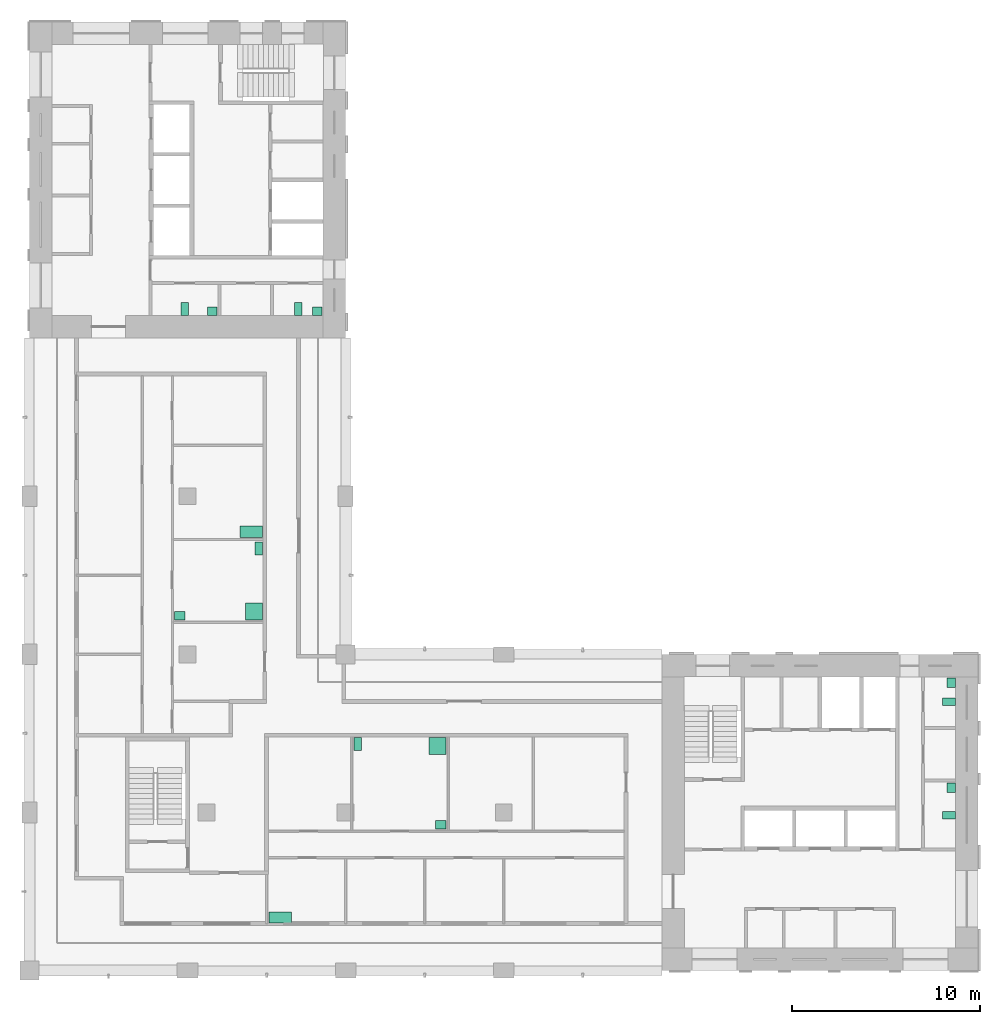
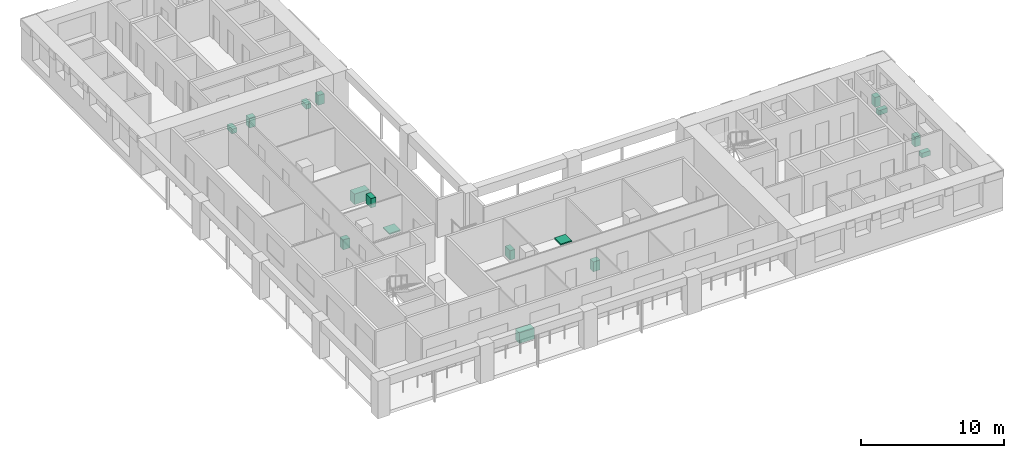
# One storey, part 9 of 9: 16 sanitary terminals.
"""IFC4 building model written with IfcOpenShell, lengths in metres."""

import ifcopenshell
import ifcopenshell.guid

model = None  # the IFC model being written
_history = None  # IfcOwnerHistory: only IFC2X3 demands one
_inside = {}  # id of a spatial element -> (the spatial element, [elements in it])
_under = {}  # id of a project, library or spatial element -> (it, [spatial elements below it])
_declared = {}  # id of a project -> (the project, [libraries it declares])
_typed = {}  # id of a type object -> (the type object, [elements of that type])
_made_of = {}  # id of a material, layer set ... -> (it, [elements and type objects made of it])


def new_model(schema):
    """Start an empty IFC model of exactly this schema.

    Asked for "IFC4X3", IfcOpenShell would pick the latest addendum, in which some entities
    have other attributes; the version numbers below select the first issue.
    IFC2X3 requires an IfcOwnerHistory on every rooted entity: one is made here for all.
    """
    global model, _history
    if schema == "IFC4X3":
        model = ifcopenshell.file(schema_version=(4, 3, 0, 0))
    else:
        model = ifcopenshell.file(schema=schema)
    _inside.clear()
    _under.clear()
    _declared.clear()
    _typed.clear()
    _made_of.clear()
    _history = None
    if model.schema == "IFC2X3":
        org = make("IfcOrganization", Name="unknown")
        user = make(
            "IfcPersonAndOrganization",
            ThePerson=make("IfcPerson", FamilyName="unknown"),
            TheOrganization=org,
        )
        app = make(
            "IfcApplication",
            ApplicationDeveloper=org,
            Version="unknown",
            ApplicationFullName="unknown",
            ApplicationIdentifier="unknown",
        )
        _history = make(
            "IfcOwnerHistory",
            OwningUser=user,
            OwningApplication=app,
            ChangeAction="ADDED",
            CreationDate=0,
        )
    return model


def make(cls, **values):
    """One entity of the class cls with the attributes given. An attribute that is None is left unset."""
    return model.create_entity(
        cls, **{name: value for name, value in values.items() if value is not None}
    )


def rooted(cls, **values):
    """An entity with a GlobalId (a new one), such as an element, a storey or a relation."""
    return make(cls, GlobalId=ifcopenshell.guid.new(), OwnerHistory=_history, **values)


def si_unit(unit_type, name, prefix=None):
    """IfcSIUnit, for example si_unit("LENGTHUNIT", "METRE", prefix="MILLI")."""
    return make("IfcSIUnit", UnitType=unit_type, Prefix=prefix, Name=name)


def assignment(units):
    """IfcUnitAssignment: the units of a project."""
    return None if units is None else make("IfcUnitAssignment", Units=units)


def point(xyz):
    """IfcCartesianPoint."""
    return None if xyz is None else make("IfcCartesianPoint", Coordinates=xyz)


def direction(xyz):
    """IfcDirection."""
    return None if xyz is None else make("IfcDirection", DirectionRatios=xyz)


def frame(location, z_axis=None, x_axis=None):
    """IfcAxis2Placement3D, a coordinate frame: its origin and axes. An axis left out is left unset."""
    return make(
        "IfcAxis2Placement3D",
        Location=point(location),
        Axis=direction(z_axis),
        RefDirection=direction(x_axis),
    )


def frame_2d(location, x_axis=None):
    """IfcAxis2Placement2D, a coordinate frame in the plane: its origin and x axis."""
    return make(
        "IfcAxis2Placement2D", Location=point(location), RefDirection=direction(x_axis)
    )


def origin():
    """The frame at (0, 0, 0) with its axes left unset."""
    return frame((0.0, 0.0, 0.0))


def origin_2d():
    """The frame at (0, 0) in the plane with its x axis left unset."""
    return frame_2d((0.0, 0.0))


def place(relative_to, where):
    """IfcLocalPlacement: puts the frame where relative to a parent placement (None: the world)."""
    return make(
        "IfcLocalPlacement", PlacementRelTo=relative_to, RelativePlacement=where
    )


def context(
    kind, dimensions, precision=None, world=None, true_north=None, identifier=None
):
    """IfcGeometricRepresentationContext, for example the 3D "Model" context."""
    return make(
        "IfcGeometricRepresentationContext",
        ContextIdentifier=identifier,
        ContextType=kind,
        CoordinateSpaceDimension=dimensions,
        Precision=precision,
        WorldCoordinateSystem=world,
        TrueNorth=true_north,
    )


def subcontext(parent, identifier, kind, view, scale=None):
    """IfcGeometricRepresentationSubContext, for example "Body" below "Model"."""
    return make(
        "IfcGeometricRepresentationSubContext",
        ContextIdentifier=identifier,
        ContextType=kind,
        ParentContext=parent,
        TargetScale=scale,
        TargetView=view,
    )


def project(units=None, contexts=None):
    """IfcProject with its units and contexts."""
    return rooted(
        "IfcProject",
        Name="project",
        RepresentationContexts=contexts,
        UnitsInContext=assignment(units),
    )


def spatial(cls, under=None, at=None, **own):
    """A site, building, storey or space (cls), placed at a placement, below another one or the project."""
    s = rooted(cls, ObjectPlacement=at, **own)
    if under is not None:
        _under.setdefault(under.id(), (under, []))[1].append(s)
    return s


def profile(cls, at=None, kind="AREA", **sizes):
    """A parametric profile (cls). Its sizes go by their IFC names, for example OverallWidth=200.0."""
    return make(cls, ProfileType=kind, Position=at, **sizes)


def rectangle(**sizes):
    """IfcRectangleProfileDef."""
    return profile("IfcRectangleProfileDef", **sizes)


def extrude(swept, where, along, depth):
    """IfcExtrudedAreaSolid: the profile swept, set in the frame where, extruded along a direction by depth."""
    return make(
        "IfcExtrudedAreaSolid",
        SweptArea=swept,
        Position=where,
        ExtrudedDirection=direction(along),
        Depth=depth,
    )


def shape(context_of_items, identifier, shape_type, items):
    """IfcShapeRepresentation: the items that make up one representation, for example the "Body"."""
    return make(
        "IfcShapeRepresentation",
        ContextOfItems=context_of_items,
        RepresentationIdentifier=identifier,
        RepresentationType=shape_type,
        Items=items,
    )


def material(Name=None, Category=None):
    """IfcMaterial."""
    return make("IfcMaterial", Name=Name, Category=Category)


def made_of(thing, what):
    """Note that an element or type object is made of a material, layer set ...; save() writes the relation."""
    if what is not None:
        _made_of.setdefault(what.id(), (what, []))[1].append(thing)
    return thing


def element(
    cls,
    number,
    at=None,
    inside=None,
    cuts=None,
    type_object=None,
    material=None,
    context=None,
    identifier="Body",
    shape_type=None,
    held_by="IfcProductDefinitionShape",
    body=None,
    shapes=None,
    **own,
):
    """One element of the class cls, such as IfcWall. Its Tag is "e" and its number.

    at: its placement. inside: the storey or other place that contains it. cuts: it is an
    opening in that element (IfcRelVoidsElement). A single representation is given by context,
    identifier, shape_type and body (its items); several are given by shapes. held_by: the class
    of the entity that holds the representations. save() writes the other relations.
    """
    e = rooted(cls, Tag="e%d" % number, ObjectPlacement=at, **own)
    if body is not None:
        shapes = [shape(context, identifier, shape_type, body)]
    if shapes is not None:
        e.Representation = make(held_by, Representations=shapes)
    if inside is not None:
        _inside.setdefault(inside.id(), (inside, []))[1].append(e)
    if cuts is not None:
        rooted(
            "IfcRelVoidsElement", RelatingBuildingElement=cuts, RelatedOpeningElement=e
        )
    if type_object is not None:
        _typed.setdefault(type_object.id(), (type_object, []))[1].append(e)
    return made_of(e, material)


def aggregate(whole, parts):
    """IfcRelAggregates: a whole, such as a stair, and the parts it consists of."""
    return rooted("IfcRelAggregates", RelatingObject=whole, RelatedObjects=parts)


def save(model, path):
    """Write the relations noted so far, then the file.

    IfcRelAggregates (storeys below a building ...), IfcRelContainedInSpatialStructure (elements
    in a storey), IfcRelDefinesByType, IfcRelAssociatesMaterial and IfcRelDeclares: one each for
    every whole, place, type object, material and project.
    """
    for whole, parts in _under.values():
        aggregate(whole, parts)
    for where, things in _inside.values():
        rooted(
            "IfcRelContainedInSpatialStructure",
            RelatedElements=things,
            RelatingStructure=where,
        )
    for kind, things in _typed.values():
        rooted("IfcRelDefinesByType", RelatedObjects=things, RelatingType=kind)
    for what, things in _made_of.values():
        rooted("IfcRelAssociatesMaterial", RelatedObjects=things, RelatingMaterial=what)
    for by, libraries in _declared.values():
        rooted("IfcRelDeclares", RelatingContext=by, RelatedDefinitions=libraries)
    model.write(path)


model = new_model("IFC4")

# Units and contexts
model_context = context("Model", 3, precision=1e-05, world=origin(), true_north=direction((0.0, 1.0)))
body_context = subcontext(model_context, "Body", "Model", "MODEL_VIEW")
ifc_project = project(units=[si_unit("LENGTHUNIT", "METRE"), si_unit("AREAUNIT", "SQUARE_METRE"), si_unit("VOLUMEUNIT", "CUBIC_METRE"), si_unit("PLANEANGLEUNIT", "RADIAN"), si_unit("MASSUNIT", "GRAM", prefix="KILO")], contexts=[model_context])

# Site, building, storey
site_placement = place(None, origin())
site = spatial("IfcSite", under=ifc_project, at=site_placement, CompositionType="ELEMENT")
building_placement = place(site_placement, origin())
building = spatial("IfcBuilding", under=site, at=building_placement, Name="Vermilion Gate Residences", CompositionType="ELEMENT")
storey_placement = place(building_placement, frame((0.0, 0.0, 228.199951171875)))
storey = spatial("IfcBuildingStorey", under=building, at=storey_placement, Name="L59", CompositionType="ELEMENT", Elevation=228.199951171875)

# Sanitary terminals
ifc_material_1 = material(Name="Vitreous china")
sanitary_terminal_1_placement = place(storey_placement, frame((57.25, 16.659912109375, 0.0), z_axis=(0.0, 0.0, 1.0), x_axis=(1.0, 0.0, 0.0)))
element("IfcSanitaryTerminal", 1, at=sanitary_terminal_1_placement, inside=storey, material=ifc_material_1, Name="Toilet pan A59", PredefinedType="TOILETPAN", context=body_context, shape_type="SweptSolid", body=[
    extrude(rectangle(XDim=0.699951171875, YDim=0.39990234375, at=origin_2d()), origin(), (0.0, 0.0, 1.0), 0.39990234375),
])
sanitary_terminal_2_placement = place(storey_placement, frame((57.375, 18.1201171875, 0.0), z_axis=(0.0, 0.0, 1.0), x_axis=(1.0, 0.0, 0.0)))
element("IfcSanitaryTerminal", 2, at=sanitary_terminal_2_placement, inside=storey, material=ifc_material_1, Name="Washbasin A59", PredefinedType="WASHHANDBASIN", context=body_context, shape_type="SweptSolid", body=[
    extrude(rectangle(XDim=0.449951171875, YDim=0.5, at=origin_2d()), origin(), (0.0, 0.0, 1.0), 0.85009765625),
])
sanitary_terminal_3_placement = place(storey_placement, frame((57.25, 22.679931640625, 0.0), z_axis=(0.0, 0.0, 1.0), x_axis=(1.0, 0.0, 0.0)))
element("IfcSanitaryTerminal", 3, at=sanitary_terminal_3_placement, inside=storey, material=ifc_material_1, Name="Toilet pan A59", PredefinedType="TOILETPAN", context=body_context, shape_type="SweptSolid", body=[
    extrude(rectangle(XDim=0.699951171875, YDim=0.39990234375, at=origin_2d()), origin(), (0.0, 0.0, 1.0), 0.39990234375),
])
sanitary_terminal_4_placement = place(storey_placement, frame((57.375, 23.699951171875, 0.0), z_axis=(0.0, 0.0, 1.0), x_axis=(1.0, 0.0, 0.0)))
element("IfcSanitaryTerminal", 4, at=sanitary_terminal_4_placement, inside=storey, material=ifc_material_1, Name="Washbasin A59", PredefinedType="WASHHANDBASIN", context=body_context, shape_type="SweptSolid", body=[
    extrude(rectangle(XDim=0.449951171875, YDim=0.5, at=origin_2d()), origin(), (0.0, 0.0, 1.0), 0.85009765625),
])
sanitary_terminal_5_placement = place(storey_placement, frame((16.659912109375, 43.550048828125, 0.0), z_axis=(0.0, 0.0, 1.0), x_axis=(1.0, 0.0, 0.0)))
element("IfcSanitaryTerminal", 5, at=sanitary_terminal_5_placement, inside=storey, material=ifc_material_1, Name="Toilet pan B59", PredefinedType="TOILETPAN", context=body_context, shape_type="SweptSolid", body=[
    extrude(rectangle(XDim=0.39990234375, YDim=0.699951171875, at=origin_2d()), origin(), (0.0, 0.0, 1.0), 0.39990234375),
])
sanitary_terminal_6_placement = place(storey_placement, frame((18.1201171875, 43.425048828125, 0.0), z_axis=(0.0, 0.0, 1.0), x_axis=(1.0, 0.0, 0.0)))
element("IfcSanitaryTerminal", 6, at=sanitary_terminal_6_placement, inside=storey, material=ifc_material_1, Name="Washbasin B59", PredefinedType="WASHHANDBASIN", context=body_context, shape_type="SweptSolid", body=[
    extrude(rectangle(XDim=0.5, YDim=0.449951171875, at=origin_2d()), origin(), (0.0, 0.0, 1.0), 0.85009765625),
])
sanitary_terminal_7_placement = place(storey_placement, frame((22.679931640625, 43.550048828125, 0.0), z_axis=(0.0, 0.0, 1.0), x_axis=(1.0, 0.0, 0.0)))
element("IfcSanitaryTerminal", 7, at=sanitary_terminal_7_placement, inside=storey, material=ifc_material_1, Name="Toilet pan B59", PredefinedType="TOILETPAN", context=body_context, shape_type="SweptSolid", body=[
    extrude(rectangle(XDim=0.39990234375, YDim=0.699951171875, at=origin_2d()), origin(), (0.0, 0.0, 1.0), 0.39990234375),
])
sanitary_terminal_8_placement = place(storey_placement, frame((23.699951171875, 43.425048828125, 0.0), z_axis=(0.0, 0.0, 1.0), x_axis=(1.0, 0.0, 0.0)))
element("IfcSanitaryTerminal", 8, at=sanitary_terminal_8_placement, inside=storey, material=ifc_material_1, Name="Washbasin B59", PredefinedType="WASHHANDBASIN", context=body_context, shape_type="SweptSolid", body=[
    extrude(rectangle(XDim=0.5, YDim=0.449951171875, at=origin_2d()), origin(), (0.0, 0.0, 1.0), 0.85009765625),
])
ifc_material_2 = material(Name="Stainless steel", Category="steel")
sanitary_terminal_9_placement = place(storey_placement, frame((21.719970703125, 11.219970703125, 0.0), z_axis=(0.0, 0.0, 1.0), x_axis=(1.0, 0.0, 0.0)))
element("IfcSanitaryTerminal", 9, at=sanitary_terminal_9_placement, inside=storey, material=ifc_material_2, Name="Kitchen sink", PredefinedType="SINK", context=body_context, shape_type="SweptSolid", body=[
    extrude(rectangle(XDim=1.199951171875, YDim=0.60009765625, at=origin_2d()), origin(), (0.0, 0.0, 1.0), 0.89990234375),
])
sanitary_terminal_10_placement = place(storey_placement, frame((30.080078125, 20.330078125, 0.0), z_axis=(0.0, 0.0, 1.0), x_axis=(1.0, 0.0, 0.0)))
element("IfcSanitaryTerminal", 10, at=sanitary_terminal_10_placement, inside=storey, material=ifc_material_1, Name="Shower tray", PredefinedType="SHOWER", context=body_context, shape_type="SweptSolid", body=[
    extrude(rectangle(XDim=0.89990234375, YDim=0.89990234375, at=origin_2d()), origin(), (0.0, 0.0, 1.0), 0.10009765625),
])
sanitary_terminal_11_placement = place(storey_placement, frame((25.844970703125, 20.429931640625, 0.0), z_axis=(0.0, 0.0, 1.0), x_axis=(1.0, 0.0, 0.0)))
element("IfcSanitaryTerminal", 11, at=sanitary_terminal_11_placement, inside=storey, material=ifc_material_1, Name="Toilet", PredefinedType="TOILETPAN", context=body_context, shape_type="SweptSolid", body=[
    extrude(rectangle(XDim=0.39990234375, YDim=0.699951171875, at=origin_2d()), origin(), (0.0, 0.0, 1.0), 0.800048828125),
])
sanitary_terminal_12_placement = place(storey_placement, frame((30.2548828125, 16.14501953125, 0.0), z_axis=(0.0, 0.0, 1.0), x_axis=(1.0, 0.0, 0.0)))
element("IfcSanitaryTerminal", 12, at=sanitary_terminal_12_placement, inside=storey, material=ifc_material_1, Name="Wash basin", PredefinedType="WASHHANDBASIN", context=body_context, shape_type="SweptSolid", body=[
    extrude(rectangle(XDim=0.550048828125, YDim=0.449951171875, at=origin_2d()), origin(), (0.0, 0.0, 1.0), 0.85009765625),
])
sanitary_terminal_13_placement = place(storey_placement, frame((20.330078125, 27.469970703125, 0.0), z_axis=(0.0, 0.0, 1.0), x_axis=(1.0, 0.0, 0.0)))
element("IfcSanitaryTerminal", 13, at=sanitary_terminal_13_placement, inside=storey, material=ifc_material_1, Name="Shower tray", PredefinedType="SHOWER", context=body_context, shape_type="SweptSolid", body=[
    extrude(rectangle(XDim=0.89990234375, YDim=0.89990234375, at=origin_2d()), origin(), (0.0, 0.0, 1.0), 0.10009765625),
])
sanitary_terminal_14_placement = place(storey_placement, frame((20.580078125, 30.830078125, 0.0), z_axis=(0.0, 0.0, 1.0), x_axis=(1.0, 0.0, 0.0)))
element("IfcSanitaryTerminal", 14, at=sanitary_terminal_14_placement, inside=storey, material=ifc_material_1, Name="Toilet", PredefinedType="TOILETPAN", context=body_context, shape_type="SweptSolid", body=[
    extrude(rectangle(XDim=0.39990234375, YDim=0.699951171875, at=origin_2d()), origin(), (0.0, 0.0, 1.0), 0.800048828125),
])
sanitary_terminal_15_placement = place(storey_placement, frame((16.39501953125, 27.2451171875, 0.0), z_axis=(0.0, 0.0, 1.0), x_axis=(1.0, 0.0, 0.0)))
element("IfcSanitaryTerminal", 15, at=sanitary_terminal_15_placement, inside=storey, material=ifc_material_1, Name="Wash basin", PredefinedType="WASHHANDBASIN", context=body_context, shape_type="SweptSolid", body=[
    extrude(rectangle(XDim=0.550048828125, YDim=0.449951171875, at=origin_2d()), origin(), (0.0, 0.0, 1.0), 0.85009765625),
])
sanitary_terminal_16_placement = place(storey_placement, frame((20.179931640625, 31.719970703125, 0.0), z_axis=(0.0, 0.0, 1.0), x_axis=(1.0, 0.0, 0.0)))
element("IfcSanitaryTerminal", 16, at=sanitary_terminal_16_placement, inside=storey, material=ifc_material_2, Name="Kitchen sink", PredefinedType="SINK", context=body_context, shape_type="SweptSolid", body=[
    extrude(rectangle(XDim=1.199951171875, YDim=0.60009765625, at=origin_2d()), origin(), (0.0, 0.0, 1.0), 0.89990234375),
])

save(model, "model.ifc")
